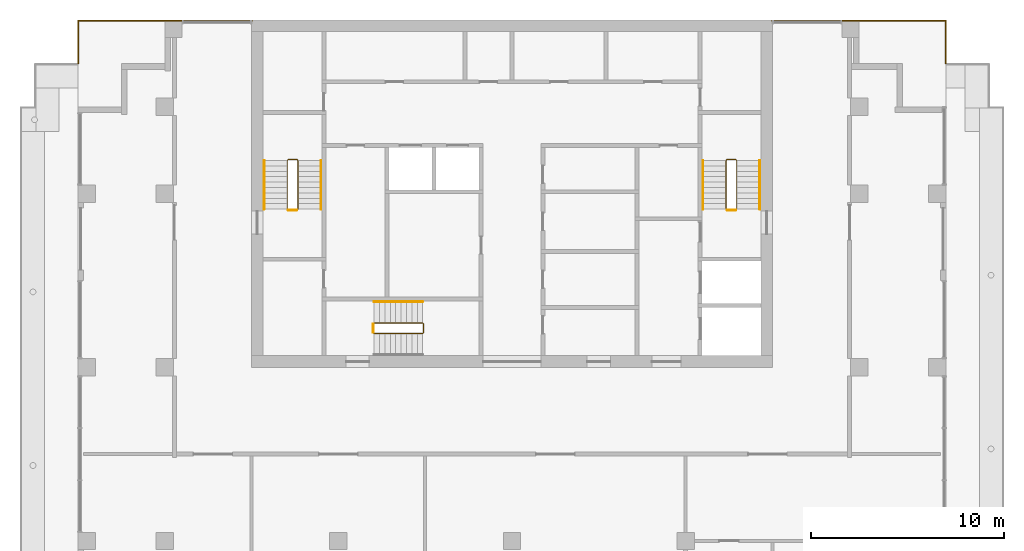
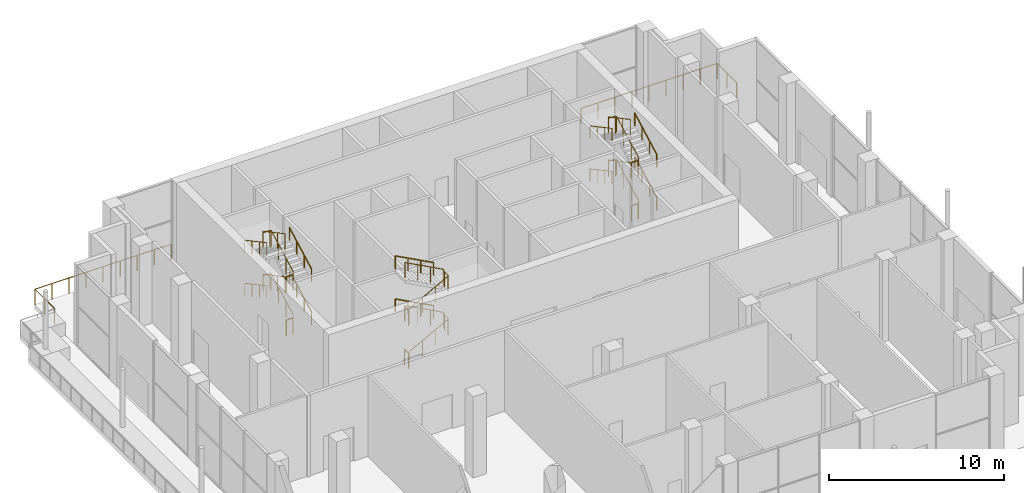
# One storey, part 12 of 13: 24 railings.
"""IFC4 building model written with IfcOpenShell, lengths in metres."""

from ifc_helpers import new_model, si_unit, direction, frame, origin, origin_2d, place, context, subcontext, project, spatial, polyline, rectangle, circle, outline, extrude, material, type_object, element, save


model = new_model("IFC4")

# Units and contexts
model_context = context("Model", 3, precision=1e-05, world=origin(), true_north=direction((0.0, 1.0)))
body_context = subcontext(model_context, "Body", "Model", "MODEL_VIEW")
ifc_project = project(units=[si_unit("LENGTHUNIT", "METRE"), si_unit("AREAUNIT", "SQUARE_METRE"), si_unit("VOLUMEUNIT", "CUBIC_METRE"), si_unit("PLANEANGLEUNIT", "RADIAN"), si_unit("MASSUNIT", "GRAM", prefix="KILO")], contexts=[model_context])

# Site, building, storey
site_placement = place(None, origin())
site = spatial("IfcSite", under=ifc_project, at=site_placement, CompositionType="ELEMENT")
building_placement = place(site_placement, origin())
building = spatial("IfcBuilding", under=site, at=building_placement, Name="Orbiselva Terraces", CompositionType="ELEMENT")
storey_placement = place(building_placement, frame((0.0, 0.0, 297.4)))
storey = spatial("IfcBuildingStorey", under=building, at=storey_placement, Name="L74", CompositionType="ELEMENT", Elevation=297.4)

# Railings
ifc_material_1 = material(Name="Stainless steel", Category="steel")
railing_type_1 = type_object("IfcRailingType", Name="CORE-GUARD-1100", PredefinedType="GUARDRAIL", material=ifc_material_1)
railing_1_placement = place(storey_placement, frame((-11.1, 12.7, 0.15)))
element("IfcRailing", 1, at=railing_1_placement, inside=storey, type_object=railing_type_1, Name="L74 S1 stair guard 1", PredefinedType="GUARDRAIL", context=body_context, shape_type="SweptSolid", body=[
    extrude(circle(Radius=0.024, at=origin_2d()), frame((0.0, 0.0, 1.081), z_axis=(0.0, 0.881479970029, 0.472221412515), x_axis=(-1.0, 0.0, 0.0)), (0.0, 0.0, 1.0), 2.858828),
    extrude(circle(Radius=0.024, at=origin_2d()), frame((0.0, 2.52, 2.431), z_axis=(-0.707106781187, 0.707106781187, 0.0), x_axis=(-0.707106781187, -0.707106781187, 0.0)), (0.0, 0.0, 1.0), 0.070711),
    extrude(circle(Radius=0.024, at=origin_2d()), frame((-0.05, 2.57, 2.431), z_axis=(-1.0, 0.0, 0.0), x_axis=(0.0, -1.0, 0.0)), (0.0, 0.0, 1.0), 0.45),
    extrude(circle(Radius=0.024, at=origin_2d()), frame((-0.5, 2.57, 2.431), z_axis=(-0.301511344578, -0.301511344578, 0.904534033733), x_axis=(0.707106781187, -0.707106781187, 0.0)), (0.0, 0.0, 1.0), 0.165831),
    extrude(circle(Radius=0.024, at=origin_2d()), frame((-0.55, 2.52, 2.581), z_axis=(0.0, -0.881479970029, 0.472221412515), x_axis=(1.0, 0.0, 0.0)), (0.0, 0.0, 1.0), 2.858828),
    extrude(circle(Radius=0.021, at=origin_2d()), origin(), (0.0, 0.0, 1.0), 1.057),
    extrude(circle(Radius=0.021, at=origin_2d()), frame((0.0, 0.84, 0.45)), (0.0, 0.0, 1.0), 1.057),
    extrude(circle(Radius=0.021, at=origin_2d()), frame((0.0, 1.68, 0.9)), (0.0, 0.0, 1.0), 1.057),
    extrude(circle(Radius=0.021, at=origin_2d()), frame((0.0, 2.52, 1.35)), (0.0, 0.0, 1.0), 1.057),
    extrude(circle(Radius=0.021, at=origin_2d()), frame((-0.05, 2.57, 1.35)), (0.0, 0.0, 1.0), 1.057),
    extrude(circle(Radius=0.021, at=origin_2d()), frame((-0.5, 2.57, 1.35)), (0.0, 0.0, 1.0), 1.057),
    extrude(circle(Radius=0.021, at=origin_2d()), frame((-0.55, 2.52, 1.5)), (0.0, 0.0, 1.0), 1.057),
    extrude(circle(Radius=0.021, at=origin_2d()), frame((-0.55, 1.68, 1.95)), (0.0, 0.0, 1.0), 1.057),
    extrude(circle(Radius=0.021, at=origin_2d()), frame((-0.55, 0.84, 2.4)), (0.0, 0.0, 1.0), 1.057),
    extrude(circle(Radius=0.021, at=origin_2d()), frame((-0.55, 0.0, 2.85)), (0.0, 0.0, 1.0), 1.057),
])
railing_2_placement = place(storey_placement, frame((-11.15, 12.65, 3.0)))
element("IfcRailing", 2, at=railing_2_placement, inside=storey, type_object=railing_type_1, Name="L74 S1 stair guard 2", PredefinedType="GUARDRAIL", context=body_context, shape_type="SweptSolid", body=[
    extrude(circle(Radius=0.024, at=origin_2d()), frame((0.0, 0.0, 1.081), z_axis=(-1.0, 0.0, 0.0), x_axis=(0.0, -1.0, 0.0)), (0.0, 0.0, 1.0), 0.45),
    extrude(circle(Radius=0.021, at=origin_2d()), origin(), (0.0, 0.0, 1.0), 1.057),
    extrude(circle(Radius=0.021, at=origin_2d()), frame((-0.45, 0.0, 0.0)), (0.0, 0.0, 1.0), 1.057),
])
railing_3_placement = place(storey_placement, frame((-11.1, 12.7, 3.15)))
element("IfcRailing", 3, at=railing_3_placement, inside=storey, type_object=railing_type_1, Name="L74 S1 stair guard 3", PredefinedType="GUARDRAIL", context=body_context, shape_type="SweptSolid", body=[
    extrude(circle(Radius=0.024, at=origin_2d()), frame((0.0, 0.0, 1.081), z_axis=(0.0, 0.881479970029, 0.472221412515), x_axis=(-1.0, 0.0, 0.0)), (0.0, 0.0, 1.0), 2.858828),
    extrude(circle(Radius=0.024, at=origin_2d()), frame((0.0, 2.52, 2.431), z_axis=(-0.707106781187, 0.707106781187, 0.0), x_axis=(-0.707106781187, -0.707106781187, 0.0)), (0.0, 0.0, 1.0), 0.070711),
    extrude(circle(Radius=0.024, at=origin_2d()), frame((-0.05, 2.57, 2.431), z_axis=(-1.0, 0.0, 0.0), x_axis=(0.0, -1.0, 0.0)), (0.0, 0.0, 1.0), 0.45),
    extrude(circle(Radius=0.024, at=origin_2d()), frame((-0.5, 2.57, 2.431), z_axis=(-0.301511344578, -0.301511344578, 0.904534033733), x_axis=(0.707106781187, -0.707106781187, 0.0)), (0.0, 0.0, 1.0), 0.165831),
    extrude(circle(Radius=0.024, at=origin_2d()), frame((-0.55, 2.52, 2.581), z_axis=(0.0, -0.881479970029, 0.472221412515), x_axis=(1.0, 0.0, 0.0)), (0.0, 0.0, 1.0), 2.858828),
    extrude(circle(Radius=0.021, at=origin_2d()), origin(), (0.0, 0.0, 1.0), 1.057),
    extrude(circle(Radius=0.021, at=origin_2d()), frame((0.0, 0.84, 0.45)), (0.0, 0.0, 1.0), 1.057),
    extrude(circle(Radius=0.021, at=origin_2d()), frame((0.0, 1.68, 0.9)), (0.0, 0.0, 1.0), 1.057),
    extrude(circle(Radius=0.021, at=origin_2d()), frame((0.0, 2.52, 1.35)), (0.0, 0.0, 1.0), 1.057),
    extrude(circle(Radius=0.021, at=origin_2d()), frame((-0.05, 2.57, 1.35)), (0.0, 0.0, 1.0), 1.057),
    extrude(circle(Radius=0.021, at=origin_2d()), frame((-0.5, 2.57, 1.35)), (0.0, 0.0, 1.0), 1.057),
    extrude(circle(Radius=0.021, at=origin_2d()), frame((-0.55, 2.52, 1.5)), (0.0, 0.0, 1.0), 1.057),
    extrude(circle(Radius=0.021, at=origin_2d()), frame((-0.55, 1.68, 1.95)), (0.0, 0.0, 1.0), 1.057),
    extrude(circle(Radius=0.021, at=origin_2d()), frame((-0.55, 0.84, 2.4)), (0.0, 0.0, 1.0), 1.057),
    extrude(circle(Radius=0.021, at=origin_2d()), frame((-0.55, 0.0, 2.85)), (0.0, 0.0, 1.0), 1.057),
])
railing_4_placement = place(storey_placement, frame((-11.15, 12.65, 0.0)))
element("IfcRailing", 4, at=railing_4_placement, inside=storey, type_object=railing_type_1, Name="L74 S1 stair guard 4", PredefinedType="GUARDRAIL", context=body_context, shape_type="SweptSolid", body=[
    extrude(circle(Radius=0.024, at=origin_2d()), frame((0.0, 0.0, 1.081), z_axis=(-1.0, 0.0, 0.0), x_axis=(0.0, -1.0, 0.0)), (0.0, 0.0, 1.0), 0.45),
    extrude(circle(Radius=0.021, at=origin_2d()), origin(), (0.0, 0.0, 1.0), 1.057),
    extrude(circle(Radius=0.021, at=origin_2d()), frame((-0.45, 0.0, 0.0)), (0.0, 0.0, 1.0), 1.057),
])
railing_5_placement = place(storey_placement, frame((11.65, 12.7, 0.15)))
element("IfcRailing", 5, at=railing_5_placement, inside=storey, type_object=railing_type_1, Name="L74 S2 stair guard 1", PredefinedType="GUARDRAIL", context=body_context, shape_type="SweptSolid", body=[
    extrude(circle(Radius=0.024, at=origin_2d()), frame((0.0, 0.0, 1.081), z_axis=(0.0, 0.881479970029, 0.472221412515), x_axis=(-1.0, 0.0, 0.0)), (0.0, 0.0, 1.0), 2.858828),
    extrude(circle(Radius=0.024, at=origin_2d()), frame((0.0, 2.52, 2.431), z_axis=(-0.707106781187, 0.707106781187, 0.0), x_axis=(-0.707106781187, -0.707106781187, 0.0)), (0.0, 0.0, 1.0), 0.070711),
    extrude(circle(Radius=0.024, at=origin_2d()), frame((-0.05, 2.57, 2.431), z_axis=(-1.0, 0.0, 0.0), x_axis=(0.0, -1.0, 0.0)), (0.0, 0.0, 1.0), 0.45),
    extrude(circle(Radius=0.024, at=origin_2d()), frame((-0.5, 2.57, 2.431), z_axis=(-0.301511344578, -0.301511344578, 0.904534033733), x_axis=(0.707106781187, -0.707106781187, 0.0)), (0.0, 0.0, 1.0), 0.165831),
    extrude(circle(Radius=0.024, at=origin_2d()), frame((-0.55, 2.52, 2.581), z_axis=(0.0, -0.881479970029, 0.472221412515), x_axis=(1.0, 0.0, 0.0)), (0.0, 0.0, 1.0), 2.858828),
    extrude(circle(Radius=0.021, at=origin_2d()), origin(), (0.0, 0.0, 1.0), 1.057),
    extrude(circle(Radius=0.021, at=origin_2d()), frame((0.0, 0.84, 0.45)), (0.0, 0.0, 1.0), 1.057),
    extrude(circle(Radius=0.021, at=origin_2d()), frame((0.0, 1.68, 0.9)), (0.0, 0.0, 1.0), 1.057),
    extrude(circle(Radius=0.021, at=origin_2d()), frame((0.0, 2.52, 1.35)), (0.0, 0.0, 1.0), 1.057),
    extrude(circle(Radius=0.021, at=origin_2d()), frame((-0.05, 2.57, 1.35)), (0.0, 0.0, 1.0), 1.057),
    extrude(circle(Radius=0.021, at=origin_2d()), frame((-0.5, 2.57, 1.35)), (0.0, 0.0, 1.0), 1.057),
    extrude(circle(Radius=0.021, at=origin_2d()), frame((-0.55, 2.52, 1.5)), (0.0, 0.0, 1.0), 1.057),
    extrude(circle(Radius=0.021, at=origin_2d()), frame((-0.55, 1.68, 1.95)), (0.0, 0.0, 1.0), 1.057),
    extrude(circle(Radius=0.021, at=origin_2d()), frame((-0.55, 0.84, 2.4)), (0.0, 0.0, 1.0), 1.057),
    extrude(circle(Radius=0.021, at=origin_2d()), frame((-0.55, 0.0, 2.85)), (0.0, 0.0, 1.0), 1.057),
])
railing_6_placement = place(storey_placement, frame((11.6, 12.65, 3.0)))
element("IfcRailing", 6, at=railing_6_placement, inside=storey, type_object=railing_type_1, Name="L74 S2 stair guard 2", PredefinedType="GUARDRAIL", context=body_context, shape_type="SweptSolid", body=[
    extrude(circle(Radius=0.024, at=origin_2d()), frame((0.0, 0.0, 1.081), z_axis=(-1.0, 0.0, 0.0), x_axis=(0.0, -1.0, 0.0)), (0.0, 0.0, 1.0), 0.45),
    extrude(circle(Radius=0.021, at=origin_2d()), origin(), (0.0, 0.0, 1.0), 1.057),
    extrude(circle(Radius=0.021, at=origin_2d()), frame((-0.45, 0.0, 0.0)), (0.0, 0.0, 1.0), 1.057),
])
railing_7_placement = place(storey_placement, frame((11.65, 12.7, 3.15)))
element("IfcRailing", 7, at=railing_7_placement, inside=storey, type_object=railing_type_1, Name="L74 S2 stair guard 3", PredefinedType="GUARDRAIL", context=body_context, shape_type="SweptSolid", body=[
    extrude(circle(Radius=0.024, at=origin_2d()), frame((0.0, 0.0, 1.081), z_axis=(0.0, 0.881479970029, 0.472221412515), x_axis=(-1.0, 0.0, 0.0)), (0.0, 0.0, 1.0), 2.858828),
    extrude(circle(Radius=0.024, at=origin_2d()), frame((0.0, 2.52, 2.431), z_axis=(-0.707106781187, 0.707106781187, 0.0), x_axis=(-0.707106781187, -0.707106781187, 0.0)), (0.0, 0.0, 1.0), 0.070711),
    extrude(circle(Radius=0.024, at=origin_2d()), frame((-0.05, 2.57, 2.431), z_axis=(-1.0, 0.0, 0.0), x_axis=(0.0, -1.0, 0.0)), (0.0, 0.0, 1.0), 0.45),
    extrude(circle(Radius=0.024, at=origin_2d()), frame((-0.5, 2.57, 2.431), z_axis=(-0.301511344578, -0.301511344578, 0.904534033733), x_axis=(0.707106781187, -0.707106781187, 0.0)), (0.0, 0.0, 1.0), 0.165831),
    extrude(circle(Radius=0.024, at=origin_2d()), frame((-0.55, 2.52, 2.581), z_axis=(0.0, -0.881479970029, 0.472221412515), x_axis=(1.0, 0.0, 0.0)), (0.0, 0.0, 1.0), 2.858828),
    extrude(circle(Radius=0.021, at=origin_2d()), origin(), (0.0, 0.0, 1.0), 1.057),
    extrude(circle(Radius=0.021, at=origin_2d()), frame((0.0, 0.84, 0.45)), (0.0, 0.0, 1.0), 1.057),
    extrude(circle(Radius=0.021, at=origin_2d()), frame((0.0, 1.68, 0.9)), (0.0, 0.0, 1.0), 1.057),
    extrude(circle(Radius=0.021, at=origin_2d()), frame((0.0, 2.52, 1.35)), (0.0, 0.0, 1.0), 1.057),
    extrude(circle(Radius=0.021, at=origin_2d()), frame((-0.05, 2.57, 1.35)), (0.0, 0.0, 1.0), 1.057),
    extrude(circle(Radius=0.021, at=origin_2d()), frame((-0.5, 2.57, 1.35)), (0.0, 0.0, 1.0), 1.057),
    extrude(circle(Radius=0.021, at=origin_2d()), frame((-0.55, 2.52, 1.5)), (0.0, 0.0, 1.0), 1.057),
    extrude(circle(Radius=0.021, at=origin_2d()), frame((-0.55, 1.68, 1.95)), (0.0, 0.0, 1.0), 1.057),
    extrude(circle(Radius=0.021, at=origin_2d()), frame((-0.55, 0.84, 2.4)), (0.0, 0.0, 1.0), 1.057),
    extrude(circle(Radius=0.021, at=origin_2d()), frame((-0.55, 0.0, 2.85)), (0.0, 0.0, 1.0), 1.057),
])
railing_8_placement = place(storey_placement, frame((11.6, 12.65, 0.0)))
element("IfcRailing", 8, at=railing_8_placement, inside=storey, type_object=railing_type_1, Name="L74 S2 stair guard 4", PredefinedType="GUARDRAIL", context=body_context, shape_type="SweptSolid", body=[
    extrude(circle(Radius=0.024, at=origin_2d()), frame((0.0, 0.0, 1.081), z_axis=(-1.0, 0.0, 0.0), x_axis=(0.0, -1.0, 0.0)), (0.0, 0.0, 1.0), 0.45),
    extrude(circle(Radius=0.021, at=origin_2d()), origin(), (0.0, 0.0, 1.0), 1.057),
    extrude(circle(Radius=0.021, at=origin_2d()), frame((-0.45, 0.0, 0.0)), (0.0, 0.0, 1.0), 1.057),
])
railing_9_placement = place(storey_placement, frame((-7.15, 6.25, 0.15)))
element("IfcRailing", 9, at=railing_9_placement, inside=storey, type_object=railing_type_1, Name="L74 S3 stair guard 1", PredefinedType="GUARDRAIL", context=body_context, shape_type="SweptSolid", body=[
    extrude(circle(Radius=0.024, at=origin_2d()), frame((0.0, 0.0, 1.081), z_axis=(0.881479970029, 0.0, 0.472221412515), x_axis=(0.0, 1.0, 0.0)), (0.0, 0.0, 1.0), 2.858828),
    extrude(circle(Radius=0.024, at=origin_2d()), frame((2.52, 0.0, 2.431), z_axis=(0.707106781187, 0.707106781187, 0.0), x_axis=(-0.707106781187, 0.707106781187, 0.0)), (0.0, 0.0, 1.0), 0.070711),
    extrude(circle(Radius=0.024, at=origin_2d()), frame((2.57, 0.05, 2.431), z_axis=(0.0, 1.0, 0.0), x_axis=(-1.0, 0.0, 0.0)), (0.0, 0.0, 1.0), 0.45),
    extrude(circle(Radius=0.024, at=origin_2d()), frame((2.57, 0.5, 2.431), z_axis=(-0.301511344578, 0.301511344578, 0.904534033733), x_axis=(-0.707106781187, -0.707106781187, 0.0)), (0.0, 0.0, 1.0), 0.165831),
    extrude(circle(Radius=0.024, at=origin_2d()), frame((2.52, 0.55, 2.581), z_axis=(-0.881479970029, 0.0, 0.472221412515), x_axis=(0.0, -1.0, 0.0)), (0.0, 0.0, 1.0), 2.858828),
    extrude(circle(Radius=0.021, at=origin_2d()), origin(), (0.0, 0.0, 1.0), 1.057),
    extrude(circle(Radius=0.021, at=origin_2d()), frame((0.84, 0.0, 0.45)), (0.0, 0.0, 1.0), 1.057),
    extrude(circle(Radius=0.021, at=origin_2d()), frame((1.68, 0.0, 0.9)), (0.0, 0.0, 1.0), 1.057),
    extrude(circle(Radius=0.021, at=origin_2d()), frame((2.52, 0.0, 1.35)), (0.0, 0.0, 1.0), 1.057),
    extrude(circle(Radius=0.021, at=origin_2d()), frame((2.57, 0.05, 1.35)), (0.0, 0.0, 1.0), 1.057),
    extrude(circle(Radius=0.021, at=origin_2d()), frame((2.57, 0.5, 1.35)), (0.0, 0.0, 1.0), 1.057),
    extrude(circle(Radius=0.021, at=origin_2d()), frame((2.52, 0.55, 1.5)), (0.0, 0.0, 1.0), 1.057),
    extrude(circle(Radius=0.021, at=origin_2d()), frame((1.68, 0.55, 1.95)), (0.0, 0.0, 1.0), 1.057),
    extrude(circle(Radius=0.021, at=origin_2d()), frame((0.84, 0.55, 2.4)), (0.0, 0.0, 1.0), 1.057),
    extrude(circle(Radius=0.021, at=origin_2d()), frame((0.0, 0.55, 2.85)), (0.0, 0.0, 1.0), 1.057),
])
railing_10_placement = place(storey_placement, frame((-7.2, 6.3, 3.0)))
element("IfcRailing", 10, at=railing_10_placement, inside=storey, type_object=railing_type_1, Name="L74 S3 stair guard 2", PredefinedType="GUARDRAIL", context=body_context, shape_type="SweptSolid", body=[
    extrude(circle(Radius=0.024, at=origin_2d()), frame((0.0, 0.0, 1.081), z_axis=(0.0, 1.0, 0.0), x_axis=(-1.0, 0.0, 0.0)), (0.0, 0.0, 1.0), 0.45),
    extrude(circle(Radius=0.021, at=origin_2d()), origin(), (0.0, 0.0, 1.0), 1.057),
    extrude(circle(Radius=0.021, at=origin_2d()), frame((0.0, 0.45, 0.0)), (0.0, 0.0, 1.0), 1.057),
])
railing_11_placement = place(storey_placement, frame((-7.15, 6.25, 3.15)))
element("IfcRailing", 11, at=railing_11_placement, inside=storey, type_object=railing_type_1, Name="L74 S3 stair guard 3", PredefinedType="GUARDRAIL", context=body_context, shape_type="SweptSolid", body=[
    extrude(circle(Radius=0.024, at=origin_2d()), frame((0.0, 0.0, 1.081), z_axis=(0.881479970029, 0.0, 0.472221412515), x_axis=(0.0, 1.0, 0.0)), (0.0, 0.0, 1.0), 2.858828),
    extrude(circle(Radius=0.024, at=origin_2d()), frame((2.52, 0.0, 2.431), z_axis=(0.707106781187, 0.707106781187, 0.0), x_axis=(-0.707106781187, 0.707106781187, 0.0)), (0.0, 0.0, 1.0), 0.070711),
    extrude(circle(Radius=0.024, at=origin_2d()), frame((2.57, 0.05, 2.431), z_axis=(0.0, 1.0, 0.0), x_axis=(-1.0, 0.0, 0.0)), (0.0, 0.0, 1.0), 0.45),
    extrude(circle(Radius=0.024, at=origin_2d()), frame((2.57, 0.5, 2.431), z_axis=(-0.301511344578, 0.301511344578, 0.904534033733), x_axis=(-0.707106781187, -0.707106781187, 0.0)), (0.0, 0.0, 1.0), 0.165831),
    extrude(circle(Radius=0.024, at=origin_2d()), frame((2.52, 0.55, 2.581), z_axis=(-0.881479970029, 0.0, 0.472221412515), x_axis=(0.0, -1.0, 0.0)), (0.0, 0.0, 1.0), 2.858828),
    extrude(circle(Radius=0.021, at=origin_2d()), origin(), (0.0, 0.0, 1.0), 1.057),
    extrude(circle(Radius=0.021, at=origin_2d()), frame((0.84, 0.0, 0.45)), (0.0, 0.0, 1.0), 1.057),
    extrude(circle(Radius=0.021, at=origin_2d()), frame((1.68, 0.0, 0.9)), (0.0, 0.0, 1.0), 1.057),
    extrude(circle(Radius=0.021, at=origin_2d()), frame((2.52, 0.0, 1.35)), (0.0, 0.0, 1.0), 1.057),
    extrude(circle(Radius=0.021, at=origin_2d()), frame((2.57, 0.05, 1.35)), (0.0, 0.0, 1.0), 1.057),
    extrude(circle(Radius=0.021, at=origin_2d()), frame((2.57, 0.5, 1.35)), (0.0, 0.0, 1.0), 1.057),
    extrude(circle(Radius=0.021, at=origin_2d()), frame((2.52, 0.55, 1.5)), (0.0, 0.0, 1.0), 1.057),
    extrude(circle(Radius=0.021, at=origin_2d()), frame((1.68, 0.55, 1.95)), (0.0, 0.0, 1.0), 1.057),
    extrude(circle(Radius=0.021, at=origin_2d()), frame((0.84, 0.55, 2.4)), (0.0, 0.0, 1.0), 1.057),
    extrude(circle(Radius=0.021, at=origin_2d()), frame((0.0, 0.55, 2.85)), (0.0, 0.0, 1.0), 1.057),
])
railing_12_placement = place(storey_placement, frame((-7.2, 6.3, 0.0)))
element("IfcRailing", 12, at=railing_12_placement, inside=storey, type_object=railing_type_1, Name="L74 S3 stair guard 4", PredefinedType="GUARDRAIL", context=body_context, shape_type="SweptSolid", body=[
    extrude(circle(Radius=0.024, at=origin_2d()), frame((0.0, 0.0, 1.081), z_axis=(0.0, 1.0, 0.0), x_axis=(-1.0, 0.0, 0.0)), (0.0, 0.0, 1.0), 0.45),
    extrude(circle(Radius=0.021, at=origin_2d()), origin(), (0.0, 0.0, 1.0), 1.057),
    extrude(circle(Radius=0.021, at=origin_2d()), frame((0.0, 0.45, 0.0)), (0.0, 0.0, 1.0), 1.057),
])
railing_type_2 = type_object("IfcRailingType", Name="CORE-HANDRAIL-900", PredefinedType="HANDRAIL", material=ifc_material_1)
railing_13_placement = place(storey_placement, frame((-9.9, 12.7, 0.15)))
element("IfcRailing", 13, at=railing_13_placement, inside=storey, type_object=railing_type_2, Name="L74 S1 stair handrail 1", PredefinedType="HANDRAIL", context=body_context, shape_type="SweptSolid", body=[
    extrude(circle(Radius=0.024, at=origin_2d()), frame((0.0, 0.0, 0.876), z_axis=(0.0, 0.881479970029, 0.472221412515), x_axis=(-1.0, 0.0, 0.0)), (0.0, 0.0, 1.0), 2.858828),
    extrude(circle(Radius=0.021, at=origin_2d()), origin(), (0.0, 0.0, 1.0), 0.852),
    extrude(circle(Radius=0.021, at=origin_2d()), frame((0.0, 0.84, 0.45)), (0.0, 0.0, 1.0), 0.852),
    extrude(circle(Radius=0.021, at=origin_2d()), frame((0.0, 1.68, 0.9)), (0.0, 0.0, 1.0), 0.852),
    extrude(circle(Radius=0.021, at=origin_2d()), frame((0.0, 2.52, 1.35)), (0.0, 0.0, 1.0), 0.852),
])
railing_14_placement = place(storey_placement, frame((-12.85, 15.22, 1.65)))
element("IfcRailing", 14, at=railing_14_placement, inside=storey, type_object=railing_type_2, Name="L74 S1 stair handrail 2", PredefinedType="HANDRAIL", context=body_context, shape_type="SweptSolid", body=[
    extrude(circle(Radius=0.024, at=origin_2d()), frame((0.0, 0.0, 0.876), z_axis=(0.0, -0.881479970029, 0.472221412515), x_axis=(1.0, 0.0, 0.0)), (0.0, 0.0, 1.0), 2.858828),
    extrude(circle(Radius=0.021, at=origin_2d()), origin(), (0.0, 0.0, 1.0), 0.852),
    extrude(circle(Radius=0.021, at=origin_2d()), frame((0.0, -0.84, 0.45)), (0.0, 0.0, 1.0), 0.852),
    extrude(circle(Radius=0.021, at=origin_2d()), frame((0.0, -1.68, 0.9)), (0.0, 0.0, 1.0), 0.852),
    extrude(circle(Radius=0.021, at=origin_2d()), frame((0.0, -2.52, 1.35)), (0.0, 0.0, 1.0), 0.852),
])
railing_15_placement = place(storey_placement, frame((-9.9, 12.7, 3.15)))
element("IfcRailing", 15, at=railing_15_placement, inside=storey, type_object=railing_type_2, Name="L74 S1 stair handrail 3", PredefinedType="HANDRAIL", context=body_context, shape_type="SweptSolid", body=[
    extrude(circle(Radius=0.024, at=origin_2d()), frame((0.0, 0.0, 0.876), z_axis=(0.0, 0.881479970029, 0.472221412515), x_axis=(-1.0, 0.0, 0.0)), (0.0, 0.0, 1.0), 2.858828),
    extrude(circle(Radius=0.021, at=origin_2d()), origin(), (0.0, 0.0, 1.0), 0.852),
    extrude(circle(Radius=0.021, at=origin_2d()), frame((0.0, 0.84, 0.45)), (0.0, 0.0, 1.0), 0.852),
    extrude(circle(Radius=0.021, at=origin_2d()), frame((0.0, 1.68, 0.9)), (0.0, 0.0, 1.0), 0.852),
    extrude(circle(Radius=0.021, at=origin_2d()), frame((0.0, 2.52, 1.35)), (0.0, 0.0, 1.0), 0.852),
])
railing_16_placement = place(storey_placement, frame((-12.85, 15.22, 4.65)))
element("IfcRailing", 16, at=railing_16_placement, inside=storey, type_object=railing_type_2, Name="L74 S1 stair handrail 4", PredefinedType="HANDRAIL", context=body_context, shape_type="SweptSolid", body=[
    extrude(circle(Radius=0.024, at=origin_2d()), frame((0.0, 0.0, 0.876), z_axis=(0.0, -0.881479970029, 0.472221412515), x_axis=(1.0, 0.0, 0.0)), (0.0, 0.0, 1.0), 2.858828),
    extrude(circle(Radius=0.021, at=origin_2d()), origin(), (0.0, 0.0, 1.0), 0.852),
    extrude(circle(Radius=0.021, at=origin_2d()), frame((0.0, -0.84, 0.45)), (0.0, 0.0, 1.0), 0.852),
    extrude(circle(Radius=0.021, at=origin_2d()), frame((0.0, -1.68, 0.9)), (0.0, 0.0, 1.0), 0.852),
    extrude(circle(Radius=0.021, at=origin_2d()), frame((0.0, -2.52, 1.35)), (0.0, 0.0, 1.0), 0.852),
])
railing_17_placement = place(storey_placement, frame((12.85, 12.7, 0.15)))
element("IfcRailing", 17, at=railing_17_placement, inside=storey, type_object=railing_type_2, Name="L74 S2 stair handrail 1", PredefinedType="HANDRAIL", context=body_context, shape_type="SweptSolid", body=[
    extrude(circle(Radius=0.024, at=origin_2d()), frame((0.0, 0.0, 0.876), z_axis=(0.0, 0.881479970029, 0.472221412515), x_axis=(-1.0, 0.0, 0.0)), (0.0, 0.0, 1.0), 2.858828),
    extrude(circle(Radius=0.021, at=origin_2d()), origin(), (0.0, 0.0, 1.0), 0.852),
    extrude(circle(Radius=0.021, at=origin_2d()), frame((0.0, 0.84, 0.45)), (0.0, 0.0, 1.0), 0.852),
    extrude(circle(Radius=0.021, at=origin_2d()), frame((0.0, 1.68, 0.9)), (0.0, 0.0, 1.0), 0.852),
    extrude(circle(Radius=0.021, at=origin_2d()), frame((0.0, 2.52, 1.35)), (0.0, 0.0, 1.0), 0.852),
])
railing_18_placement = place(storey_placement, frame((9.9, 15.22, 1.65)))
element("IfcRailing", 18, at=railing_18_placement, inside=storey, type_object=railing_type_2, Name="L74 S2 stair handrail 2", PredefinedType="HANDRAIL", context=body_context, shape_type="SweptSolid", body=[
    extrude(circle(Radius=0.024, at=origin_2d()), frame((0.0, 0.0, 0.876), z_axis=(0.0, -0.881479970029, 0.472221412515), x_axis=(1.0, 0.0, 0.0)), (0.0, 0.0, 1.0), 2.858828),
    extrude(circle(Radius=0.021, at=origin_2d()), origin(), (0.0, 0.0, 1.0), 0.852),
    extrude(circle(Radius=0.021, at=origin_2d()), frame((0.0, -0.84, 0.45)), (0.0, 0.0, 1.0), 0.852),
    extrude(circle(Radius=0.021, at=origin_2d()), frame((0.0, -1.68, 0.9)), (0.0, 0.0, 1.0), 0.852),
    extrude(circle(Radius=0.021, at=origin_2d()), frame((0.0, -2.52, 1.35)), (0.0, 0.0, 1.0), 0.852),
])
railing_19_placement = place(storey_placement, frame((12.85, 12.7, 3.15)))
element("IfcRailing", 19, at=railing_19_placement, inside=storey, type_object=railing_type_2, Name="L74 S2 stair handrail 3", PredefinedType="HANDRAIL", context=body_context, shape_type="SweptSolid", body=[
    extrude(circle(Radius=0.024, at=origin_2d()), frame((0.0, 0.0, 0.876), z_axis=(0.0, 0.881479970029, 0.472221412515), x_axis=(-1.0, 0.0, 0.0)), (0.0, 0.0, 1.0), 2.858828),
    extrude(circle(Radius=0.021, at=origin_2d()), origin(), (0.0, 0.0, 1.0), 0.852),
    extrude(circle(Radius=0.021, at=origin_2d()), frame((0.0, 0.84, 0.45)), (0.0, 0.0, 1.0), 0.852),
    extrude(circle(Radius=0.021, at=origin_2d()), frame((0.0, 1.68, 0.9)), (0.0, 0.0, 1.0), 0.852),
    extrude(circle(Radius=0.021, at=origin_2d()), frame((0.0, 2.52, 1.35)), (0.0, 0.0, 1.0), 0.852),
])
railing_20_placement = place(storey_placement, frame((9.9, 15.22, 4.65)))
element("IfcRailing", 20, at=railing_20_placement, inside=storey, type_object=railing_type_2, Name="L74 S2 stair handrail 4", PredefinedType="HANDRAIL", context=body_context, shape_type="SweptSolid", body=[
    extrude(circle(Radius=0.024, at=origin_2d()), frame((0.0, 0.0, 0.876), z_axis=(0.0, -0.881479970029, 0.472221412515), x_axis=(1.0, 0.0, 0.0)), (0.0, 0.0, 1.0), 2.858828),
    extrude(circle(Radius=0.021, at=origin_2d()), origin(), (0.0, 0.0, 1.0), 0.852),
    extrude(circle(Radius=0.021, at=origin_2d()), frame((0.0, -0.84, 0.45)), (0.0, 0.0, 1.0), 0.852),
    extrude(circle(Radius=0.021, at=origin_2d()), frame((0.0, -1.68, 0.9)), (0.0, 0.0, 1.0), 0.852),
    extrude(circle(Radius=0.021, at=origin_2d()), frame((0.0, -2.52, 1.35)), (0.0, 0.0, 1.0), 0.852),
])
for number, where, name in (
    (21, (-4.63, 7.9, 1.65), "L74 S3 stair handrail 2"),
    (22, (-4.63, 7.9, 4.65), "L74 S3 stair handrail 4"),
):
    element("IfcRailing", number, at=place(storey_placement, frame(where)), inside=storey, type_object=railing_type_2, Name=name, PredefinedType="HANDRAIL", context=body_context, shape_type="SweptSolid", body=[
        extrude(circle(Radius=0.024, at=origin_2d()), frame((0.0, 0.0, 0.876), z_axis=(-0.881479970029, 0.0, 0.472221412515), x_axis=(0.0, -1.0, 0.0)), (0.0, 0.0, 1.0), 2.858828),
        extrude(circle(Radius=0.021, at=origin_2d()), origin(), (0.0, 0.0, 1.0), 0.852),
        extrude(circle(Radius=0.021, at=origin_2d()), frame((-0.84, 0.0, 0.45)), (0.0, 0.0, 1.0), 0.852),
        extrude(circle(Radius=0.021, at=origin_2d()), frame((-1.68, 0.0, 0.9)), (0.0, 0.0, 1.0), 0.852),
        extrude(circle(Radius=0.021, at=origin_2d()), frame((-2.52, 0.0, 1.35)), (0.0, 0.0, 1.0), 0.852),
    ])
ifc_material_2 = material(Name="Stainless steel rail and posts", Category="steel")
railing_type_3 = type_object("IfcRailingType", Name="ENV-TERRACE-GUARD-1105", PredefinedType="BALUSTRADE", material=ifc_material_2)
railing_21_placement = place(storey_placement, frame((-13.5, 22.475, 0.0)))
element("IfcRailing", 23, at=railing_21_placement, inside=storey, type_object=railing_type_3, Name="Guard L74 floor-edge", PredefinedType="BALUSTRADE", context=body_context, shape_type="SweptSolid", body=[
    extrude(outline(polyline([(0.028868, 0.0), (0.014434, 0.025), (-0.014434, 0.025), (-0.028868, 0.0), (-0.014434, -0.025), (0.014434, -0.025), (0.028868, 0.0)])), frame((0.0, 0.0, 1.08), z_axis=(-1.0, 0.0, 0.0), x_axis=(0.0, -1.0, 0.0)), (0.0, 0.0, 1.0), 8.975),
    extrude(outline(polyline([(0.028868, 0.0), (0.014434, 0.025), (-0.014434, 0.025), (-0.028868, 0.0), (-0.014434, -0.025), (0.014434, -0.025), (0.028868, 0.0)])), frame((-8.975, 0.0, 1.08), z_axis=(0.0, -1.0, 0.0), x_axis=(1.0, 0.0, 0.0)), (0.0, 0.0, 1.0), 2.225),
    extrude(rectangle(XDim=0.05, YDim=0.05, at=origin_2d()), origin(), (0.0, 0.0, 1.0), 1.055),
    extrude(rectangle(XDim=0.05, YDim=0.05, at=origin_2d()), frame((-1.121875, 0.0, 0.0)), (0.0, 0.0, 1.0), 1.055),
    extrude(rectangle(XDim=0.05, YDim=0.05, at=origin_2d()), frame((-2.24375, 0.0, 0.0)), (0.0, 0.0, 1.0), 1.055),
    extrude(rectangle(XDim=0.05, YDim=0.05, at=origin_2d()), frame((-3.365625, 0.0, 0.0)), (0.0, 0.0, 1.0), 1.055),
    extrude(rectangle(XDim=0.05, YDim=0.05, at=origin_2d()), frame((-4.4875, 0.0, 0.0)), (0.0, 0.0, 1.0), 1.055),
    extrude(rectangle(XDim=0.05, YDim=0.05, at=origin_2d()), frame((-5.609375, 0.0, 0.0)), (0.0, 0.0, 1.0), 1.055),
    extrude(rectangle(XDim=0.05, YDim=0.05, at=origin_2d()), frame((-6.73125, 0.0, 0.0)), (0.0, 0.0, 1.0), 1.055),
    extrude(rectangle(XDim=0.05, YDim=0.05, at=origin_2d()), frame((-7.853125, 0.0, 0.0)), (0.0, 0.0, 1.0), 1.055),
    extrude(rectangle(XDim=0.05, YDim=0.05, at=origin_2d()), frame((-8.975, 0.0, 0.0)), (0.0, 0.0, 1.0), 1.055),
    extrude(rectangle(XDim=0.05, YDim=0.05, at=origin_2d()), frame((-8.975, -1.1125, 0.0)), (0.0, 0.0, 1.0), 1.055),
    extrude(rectangle(XDim=0.05, YDim=0.05, at=origin_2d()), frame((-8.975, -2.225, 0.0)), (0.0, 0.0, 1.0), 1.055),
])
railing_22_placement = place(storey_placement, frame((22.475, 20.25, 0.0)))
element("IfcRailing", 24, at=railing_22_placement, inside=storey, type_object=railing_type_3, Name="Guard L74 floor-edge", PredefinedType="BALUSTRADE", context=body_context, shape_type="SweptSolid", body=[
    extrude(outline(polyline([(0.028868, 0.0), (0.014434, 0.025), (-0.014434, 0.025), (-0.028868, 0.0), (-0.014434, -0.025), (0.014434, -0.025), (0.028868, 0.0)])), frame((0.0, 0.0, 1.08), z_axis=(0.0, 1.0, 0.0), x_axis=(-1.0, 0.0, 0.0)), (0.0, 0.0, 1.0), 2.225),
    extrude(outline(polyline([(0.028868, 0.0), (0.014434, 0.025), (-0.014434, 0.025), (-0.028868, 0.0), (-0.014434, -0.025), (0.014434, -0.025), (0.028868, 0.0)])), frame((0.0, 2.225, 1.08), z_axis=(-1.0, 0.0, 0.0), x_axis=(0.0, -1.0, 0.0)), (0.0, 0.0, 1.0), 8.975),
    extrude(rectangle(XDim=0.05, YDim=0.05, at=origin_2d()), origin(), (0.0, 0.0, 1.0), 1.055),
    extrude(rectangle(XDim=0.05, YDim=0.05, at=origin_2d()), frame((0.0, 1.1125, 0.0)), (0.0, 0.0, 1.0), 1.055),
    extrude(rectangle(XDim=0.05, YDim=0.05, at=origin_2d()), frame((0.0, 2.225, 0.0)), (0.0, 0.0, 1.0), 1.055),
    extrude(rectangle(XDim=0.05, YDim=0.05, at=origin_2d()), frame((-1.121875, 2.225, 0.0)), (0.0, 0.0, 1.0), 1.055),
    extrude(rectangle(XDim=0.05, YDim=0.05, at=origin_2d()), frame((-2.24375, 2.225, 0.0)), (0.0, 0.0, 1.0), 1.055),
    extrude(rectangle(XDim=0.05, YDim=0.05, at=origin_2d()), frame((-3.365625, 2.225, 0.0)), (0.0, 0.0, 1.0), 1.055),
    extrude(rectangle(XDim=0.05, YDim=0.05, at=origin_2d()), frame((-4.4875, 2.225, 0.0)), (0.0, 0.0, 1.0), 1.055),
    extrude(rectangle(XDim=0.05, YDim=0.05, at=origin_2d()), frame((-5.609375, 2.225, 0.0)), (0.0, 0.0, 1.0), 1.055),
    extrude(rectangle(XDim=0.05, YDim=0.05, at=origin_2d()), frame((-6.73125, 2.225, 0.0)), (0.0, 0.0, 1.0), 1.055),
    extrude(rectangle(XDim=0.05, YDim=0.05, at=origin_2d()), frame((-7.853125, 2.225, 0.0)), (0.0, 0.0, 1.0), 1.055),
    extrude(rectangle(XDim=0.05, YDim=0.05, at=origin_2d()), frame((-8.975, 2.225, 0.0)), (0.0, 0.0, 1.0), 1.055),
])

save(model, "model.ifc")
